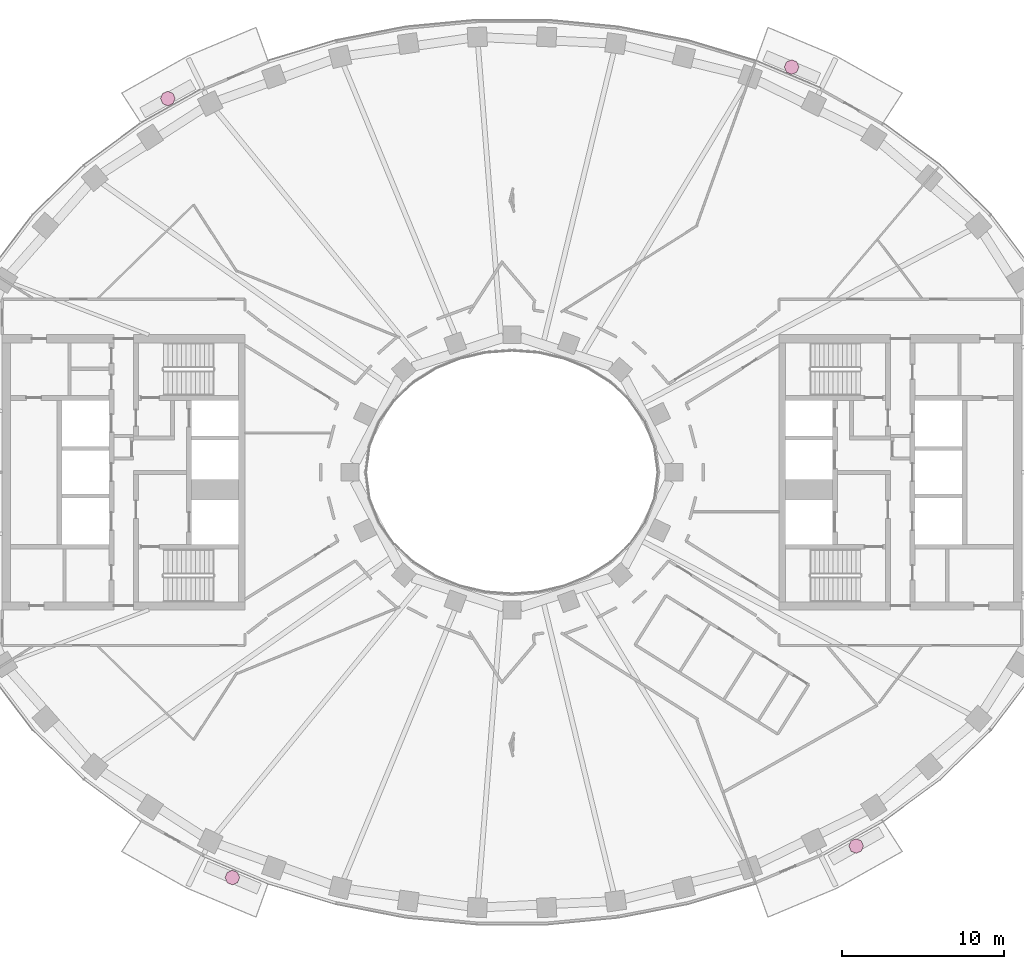
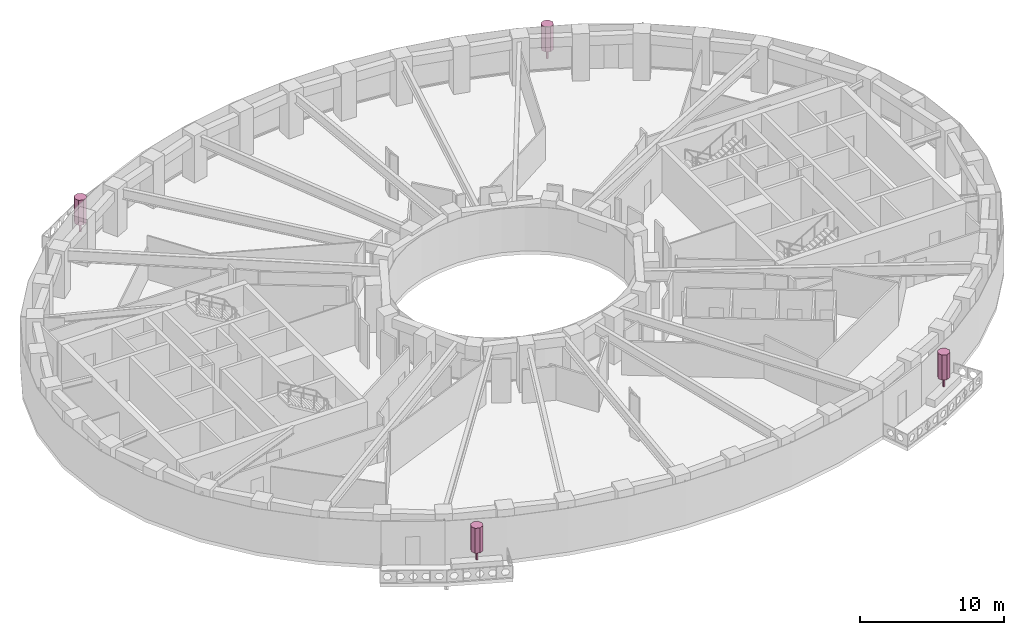
# One storey, part 15 of 15: 4 furnishings.
"""IFC4 building model written with IfcOpenShell, lengths in metres."""

from ifc_helpers import new_model, si_unit, direction, frame, origin, origin_2d, place, context, subcontext, project, spatial, polyline, rectangle, outline, extrude, material, type_object, element, save


model = new_model("IFC4")

# Units and contexts
model_context = context("Model", 3, precision=1e-05, world=origin(), true_north=direction((0.0, 1.0)))
body_context = subcontext(model_context, "Body", "Model", "MODEL_VIEW")
ifc_project = project(units=[si_unit("LENGTHUNIT", "METRE"), si_unit("AREAUNIT", "SQUARE_METRE"), si_unit("VOLUMEUNIT", "CUBIC_METRE"), si_unit("PLANEANGLEUNIT", "RADIAN"), si_unit("MASSUNIT", "GRAM", prefix="KILO")], contexts=[model_context])

# Site, building, storey
site_placement = place(None, origin())
site = spatial("IfcSite", under=ifc_project, at=site_placement, CompositionType="ELEMENT")
building_placement = place(site_placement, origin())
building = spatial("IfcBuilding", under=site, at=building_placement, Name="Noorbagh Ring Tower", CompositionType="ELEMENT")
storey_placement = place(building_placement, frame((0.0, 0.0, 158.0)))
storey = spatial("IfcBuildingStorey", under=building, at=storey_placement, Name="L36", CompositionType="ELEMENT", Elevation=158.0)

# Furnishings
ifc_material = material(Name="Planting foliage green")
furnishing_element_type = type_object("IfcFurnishingElementType", Name="ENV-TREE", material=ifc_material)
for number, where, z_axis, x_axis, name in (
    (1, (17.280517578125, 25.041259765625, 0.60009765625), (0.0, 0.0, 1.0), (1.0, 0.0, 0.0), "Tree BN02"),
    (2, (-21.26513671875, 23.093017578125, 0.60009765625), (0.0, 0.0, 1.0), (1.0, 0.0, 0.0), "Tree BN05"),
    (3, (-17.280517578125, -25.041259765625, 0.60009765625), (0.0, 0.0, 1.0), (1.0, 0.0, 0.0), "Tree BS02"),
    (4, (21.26513671875, -23.093017578125, 0.60009765625), (0.0, 0.0, 1.0), (1.0, 0.0, 0.0), "Tree BS05"),
):
    element("IfcFurnishingElement", number, at=place(storey_placement, frame(where, z_axis=z_axis, x_axis=x_axis)), inside=storey, type_object=furnishing_element_type, Name=name, context=body_context, shape_type="SweptSolid", body=[
        extrude(rectangle(XDim=0.1201171875, YDim=0.1201171875, at=origin_2d()), origin(), (0.0, 0.0, 1.0), 0.825927734375),
        extrude(outline(polyline([(0.449951171875, 0.0), (0.318115234375, 0.318115234375), (0.0, 0.449951171875), (-0.318115234375, 0.318115234375), (-0.449951171875, 0.0), (-0.318115234375, -0.318115234375), (0.0, -0.449951171875), (0.318115234375, -0.318115234375), (0.449951171875, 0.0)])), frame((0.0, 0.0, 0.825927734375)), (0.0, 0.0, 1.0), 2.1240234375),
    ])

save(model, "model.ifc")
